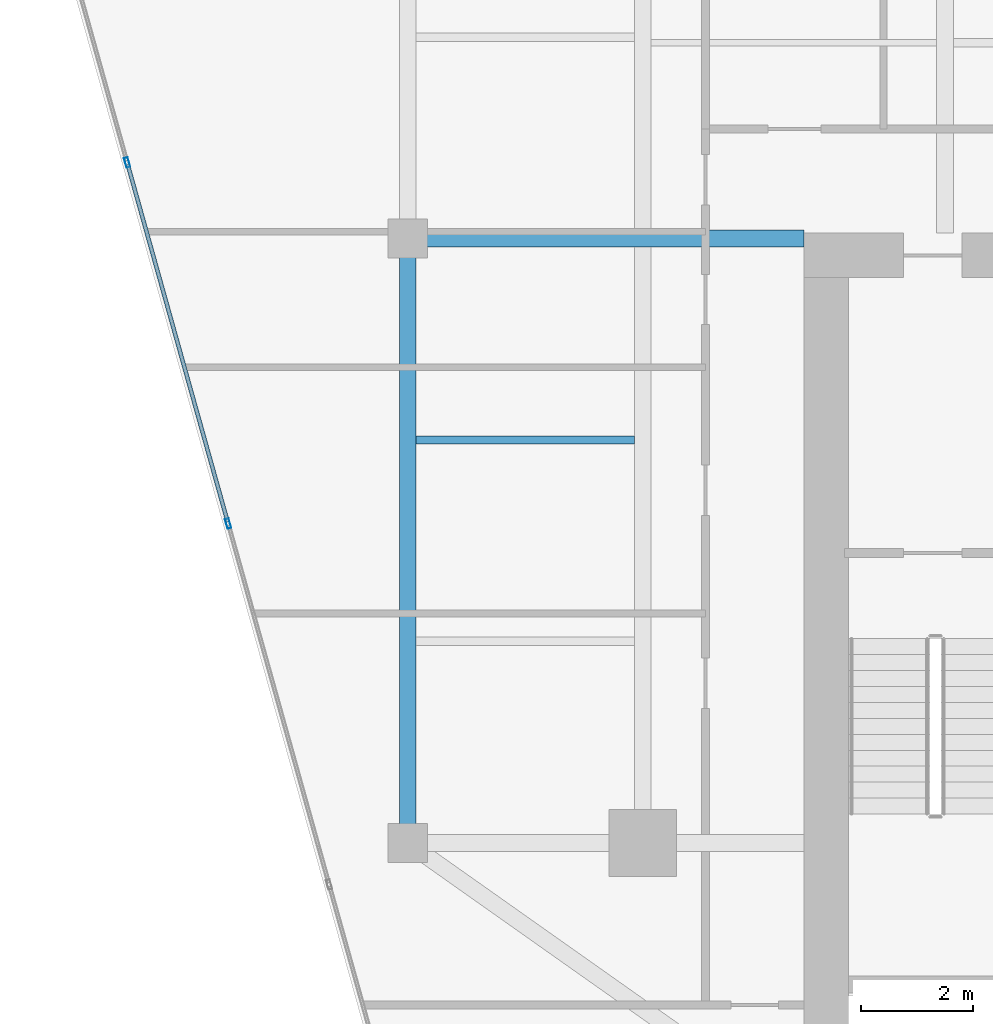
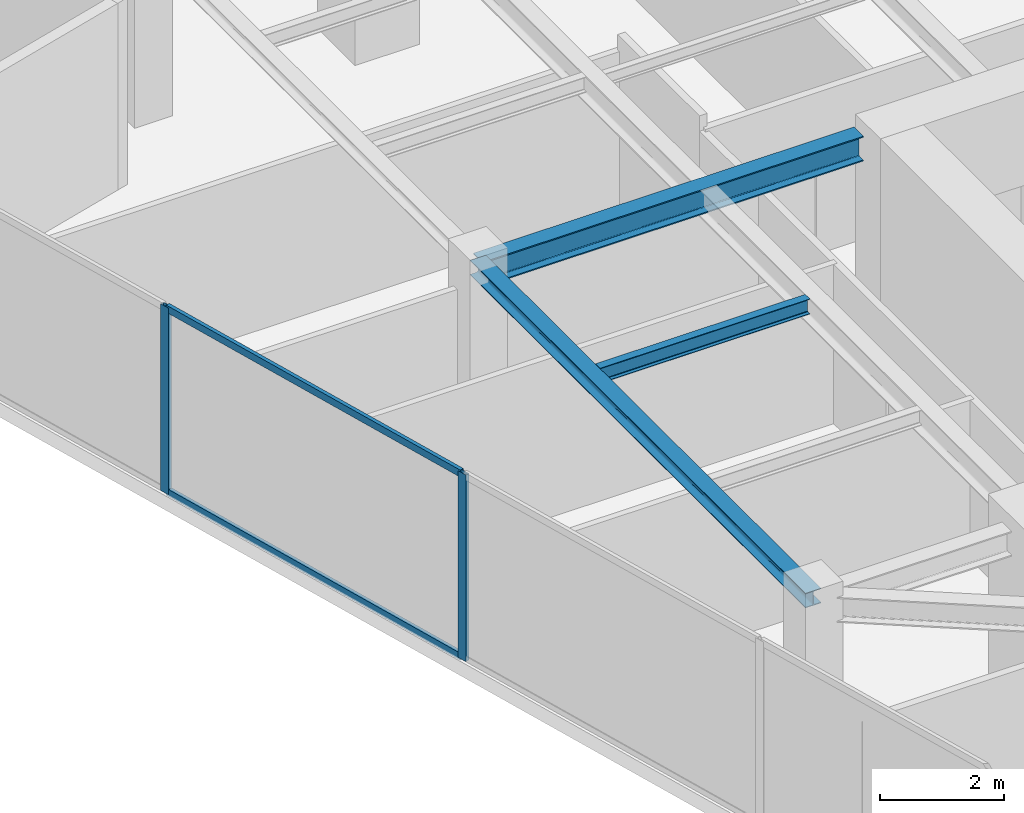
# One storey, part 5 of 20: 4 members, 3 beams, 1 element without a shape of its own.
"""IFC4 building model written with IfcOpenShell, lengths in metres."""

from ifc_helpers import new_model, si_unit, direction, frame, origin, origin_2d, place, context, subcontext, project, spatial, hollow_rectangle, i_section, extrude, source, transform, mapped, material, material_profile, profile_set, type_object, type_shapes, element, aggregate, save


model = new_model("IFC4")

# Units and contexts
model_context = context("Model", 3, precision=1e-05, world=origin(), true_north=direction((0.0, 1.0)))
body_context = subcontext(model_context, "Body", "Model", "MODEL_VIEW")
ifc_project = project(units=[si_unit("LENGTHUNIT", "METRE"), si_unit("AREAUNIT", "SQUARE_METRE"), si_unit("VOLUMEUNIT", "CUBIC_METRE"), si_unit("PLANEANGLEUNIT", "RADIAN"), si_unit("MASSUNIT", "GRAM", prefix="KILO")], contexts=[model_context])

# Site, building, storey
site_placement = place(None, origin())
site = spatial("IfcSite", under=ifc_project, at=site_placement, CompositionType="ELEMENT")
building_placement = place(site_placement, origin())
building = spatial("IfcBuilding", under=site, at=building_placement, Name="Krantzveldt Concourse Tower", CompositionType="ELEMENT")
storey_placement = place(building_placement, frame((0.0, 0.0, 351.39990234375)))
storey = spatial("IfcBuildingStorey", under=building, at=storey_placement, Name="L86", CompositionType="ELEMENT", Elevation=351.39990234375)

# Beams
ifc_material_1 = material(Name="Steel S355JR", Category="steel")
ifc_material_profile_1 = material_profile(ifc_material_1, i_section(OverallWidth=0.300048828125, OverallDepth=0.489990234375, WebThickness=0.011962890625, FlangeThickness=0.02294921875, FilletRadius=0.027099609375, at=origin_2d()), Name="Steel S355JR", Category="steel")
ifc_profile_set_1 = profile_set([ifc_material_profile_1], Name="Steel S355JR - HEA 500")
beam_type_1 = type_object("IfcBeamType", Name="BM-B-HEA500", PredefinedType="BEAM", material=ifc_profile_set_1)
shared_shape_1 = source(origin(), body_context, "Body", "SweptSolid", [
    extrude(i_section(OverallWidth=0.300048828125, OverallDepth=0.489990234375, WebThickness=0.011962890625, FlangeThickness=0.02294921875, FilletRadius=0.027099609375, at=origin_2d()), origin(), (0.0, 0.0, 1.0), 7.080078125),
])
type_shapes(beam_type_1, [shared_shape_1])
beam_1_placement = place(storey_placement, frame((21.0, 26.699951171875, 3.425048828125), z_axis=(1.0, 0.0, 0.0), x_axis=(0.0, 1.0, 0.0)))
element("IfcBeam", 1, at=beam_1_placement, inside=storey, type_object=beam_type_1, Name="L86 Tower Girder BG-CW2", PredefinedType="BEAM", context=body_context, shape_type="MappedRepresentation", body=[
    mapped(shared_shape_1, transform((0.0, 0.0, 0.0), x_axis=(1.0, 0.0, 0.0), y_axis=(0.0, 1.0, 0.0), z_axis=(0.0, 0.0, 1.0), scale=1.0)),
])
ifc_material_profile_2 = material_profile(ifc_material_1, i_section(OverallWidth=0.2900390625, OverallDepth=0.2900390625, WebThickness=0.008544921875, FlangeThickness=0.013916015625, FilletRadius=0.027099609375, at=origin_2d()), Name="Steel S355JR", Category="steel")
ifc_profile_set_2 = profile_set([ifc_material_profile_2], Name="Steel S355JR - HEA 300")
beam_type_2 = type_object("IfcBeamType", Name="BM-SP-HEA300", PredefinedType="SPANDREL", material=ifc_profile_set_2)
shared_shape_2 = source(origin(), body_context, "Body", "SweptSolid", [
    extrude(i_section(OverallWidth=0.2900390625, OverallDepth=0.2900390625, WebThickness=0.008544921875, FlangeThickness=0.013916015625, FilletRadius=0.027099609375, at=origin_2d()), origin(), (0.0, 0.0, 1.0), 10.800048828125),
])
type_shapes(beam_type_2, [shared_shape_2])
beam_2_placement = place(storey_placement, frame((21.0, 15.89990234375, 3.525146484375), z_axis=(0.0, 1.0, 0.0), x_axis=(-1.0, 0.0, 0.0)))
element("IfcBeam", 2, at=beam_2_placement, inside=storey, type_object=beam_type_2, Name="L86 Tower Girder SP-R01", PredefinedType="SPANDREL", context=body_context, shape_type="MappedRepresentation", body=[
    mapped(shared_shape_2, transform((0.0, 0.0, 0.0), x_axis=(1.0, 0.0, 0.0), y_axis=(0.0, 1.0, 0.0), z_axis=(0.0, 0.0, 1.0), scale=1.0)),
])
ifc_material_profile_3 = material_profile(ifc_material_1, i_section(OverallWidth=0.14990234375, OverallDepth=0.300048828125, WebThickness=0.007080078125, FlangeThickness=0.0107421875, FilletRadius=0.014892578125, at=origin_2d()), Name="Steel S355JR", Category="steel")
ifc_profile_set_3 = profile_set([ifc_material_profile_3], Name="Steel S355JR - IPE 300")
beam_type_3 = type_object("IfcBeamType", Name="BM-J-IPE300", PredefinedType="JOIST", material=ifc_profile_set_3)
shared_shape_3 = source(origin(), body_context, "Body", "SweptSolid", [
    extrude(i_section(OverallWidth=0.14990234375, OverallDepth=0.300048828125, WebThickness=0.007080078125, FlangeThickness=0.0107421875, FilletRadius=0.014892578125, at=origin_2d()), origin(), (0.0, 0.0, 1.0), 3.900146484375),
])
type_shapes(beam_type_3, [shared_shape_3])
beam_3_placement = place(storey_placement, frame((21.14990234375, 23.10009765625, 3.52001953125), z_axis=(1.0, 0.0, 0.0), x_axis=(0.0, 1.0, 0.0)))
element("IfcBeam", 3, at=beam_3_placement, inside=storey, type_object=beam_type_3, Name="L86 Secondary Floor Joist JW-2", PredefinedType="JOIST", context=body_context, shape_type="MappedRepresentation", body=[
    mapped(shared_shape_3, transform((0.0, 0.0, 0.0), x_axis=(1.0, 0.0, 0.0), y_axis=(0.0, 1.0, 0.0), z_axis=(0.0, 0.0, 1.0), scale=1.0)),
])

# Curtain wall, members
ifc_material_2 = material(Name="Anodised aluminium 6063-T6", Category="aluminium")
curtain_wall_type = type_object("IfcCurtainWallType", Name="CW4", PredefinedType="USERDEFINED", material=ifc_material_2)
curtain_wall_placement = place(storey_placement, origin())
curtain_wall = element("IfcCurtainWall", 4, at=curtain_wall_placement, inside=storey, type_object=curtain_wall_type, Name="CW-L86-F04", ObjectType="UNITISED CURTAIN WALL", PredefinedType="USERDEFINED")
ifc_material_profile_4 = material_profile(ifc_material_2, hollow_rectangle(XDim=0.070068359375, YDim=0.179931640625, WallThickness=0.0048828125, at=origin_2d()), Name="Anodised aluminium 6063-T6", Category="aluminium")
ifc_profile_set_4 = profile_set([ifc_material_profile_4], Name="Anodised aluminium 6063-T6 - ALU-MULL 180x70x5")
member_type_1 = type_object("IfcMemberType", Name="CW-MUL-180", PredefinedType="MULLION", material=ifc_profile_set_4)
shared_shape_4 = source(origin(), body_context, "Body", "SweptSolid", [
    extrude(hollow_rectangle(XDim=0.070068359375, YDim=0.179931640625, WallThickness=0.0048828125, at=origin_2d()), origin(), (0.0, 0.0, 1.0), 3.670166015625),
])
type_shapes(member_type_1, [shared_shape_4])
member_1_placement = place(storey_placement, frame((15.984130859375, 28.05908203125, 0.0), z_axis=(0.0, 0.0, 1.0), x_axis=(0.963045170968, 0.269339931454, 0.0)))
member_1 = element("IfcMember", 5, at=member_1_placement, type_object=member_type_1, Name="CW-Z56 mullion 2", PredefinedType="MULLION", context=body_context, shape_type="MappedRepresentation", body=[
    mapped(shared_shape_4, transform((0.0, 0.0, 0.0), x_axis=(1.0, 0.0, 0.0), y_axis=(0.0, 1.0, 0.0), z_axis=(0.0, 0.0, 1.0), scale=1.0)),
])
member_2_placement = place(storey_placement, frame((17.788818359375, 21.606689453125, 0.0), z_axis=(0.0, 0.0, 1.0), x_axis=(0.963045170968, 0.269339931454, 0.0)))
member_2 = element("IfcMember", 6, at=member_2_placement, type_object=member_type_1, Name="CW-Z56 mullion 3", PredefinedType="MULLION", context=body_context, shape_type="MappedRepresentation", body=[
    mapped(shared_shape_4, transform((0.0, 0.0, 0.0), x_axis=(1.0, 0.0, 0.0), y_axis=(0.0, 1.0, 0.0), z_axis=(0.0, 0.0, 1.0), scale=1.0)),
])
ifc_material_profile_5 = material_profile(ifc_material_2, hollow_rectangle(XDim=0.070068359375, YDim=0.139892578125, WallThickness=0.0048828125, at=origin_2d()), Name="Anodised aluminium 6063-T6", Category="aluminium")
ifc_profile_set_5 = profile_set([ifc_material_profile_5], Name="Anodised aluminium 6063-T6 - ALU-TRAN 140x70x5")
member_type_2 = type_object("IfcMemberType", Name="CW-TRN-150", PredefinedType="USERDEFINED", material=ifc_profile_set_5)
shared_shape_5 = source(origin(), body_context, "Body", "SweptSolid", [
    extrude(hollow_rectangle(XDim=0.070068359375, YDim=0.139892578125, WallThickness=0.0048828125, at=origin_2d()), origin(), (0.0, 0.0, 1.0), 6.6298828125),
])
type_shapes(member_type_2, [shared_shape_5])
member_3_placement = place(storey_placement, frame((15.99365234375, 28.025390625, 0.03515625), z_axis=(0.269328056819, -0.963048491931, 0.0), x_axis=(0.963048491931, 0.269328056819, 0.0)))
member_3 = element("IfcMember", 7, at=member_3_placement, type_object=member_type_2, Name="CW-Z56 transom 2.1", ObjectType="TRANSOM", PredefinedType="USERDEFINED", context=body_context, shape_type="MappedRepresentation", body=[
    mapped(shared_shape_5, transform((0.0, 0.0, 0.0), x_axis=(1.0, 0.0, 0.0), y_axis=(0.0, 1.0, 0.0), z_axis=(0.0, 0.0, 1.0), scale=1.0)),
])
member_4_placement = place(storey_placement, frame((15.99365234375, 28.025390625, 3.635009765625), z_axis=(0.269328056819, -0.963048491931, 0.0), x_axis=(0.963048491931, 0.269328056819, 0.0)))
member_4 = element("IfcMember", 8, at=member_4_placement, type_object=member_type_2, Name="CW-Z56 transom 2.2", ObjectType="TRANSOM", PredefinedType="USERDEFINED", context=body_context, shape_type="MappedRepresentation", body=[
    mapped(shared_shape_5, transform((0.0, 0.0, 0.0), x_axis=(1.0, 0.0, 0.0), y_axis=(0.0, 1.0, 0.0), z_axis=(0.0, 0.0, 1.0), scale=1.0)),
])
aggregate(curtain_wall, [member_1, member_2, member_3, member_4])

save(model, "model.ifc")
